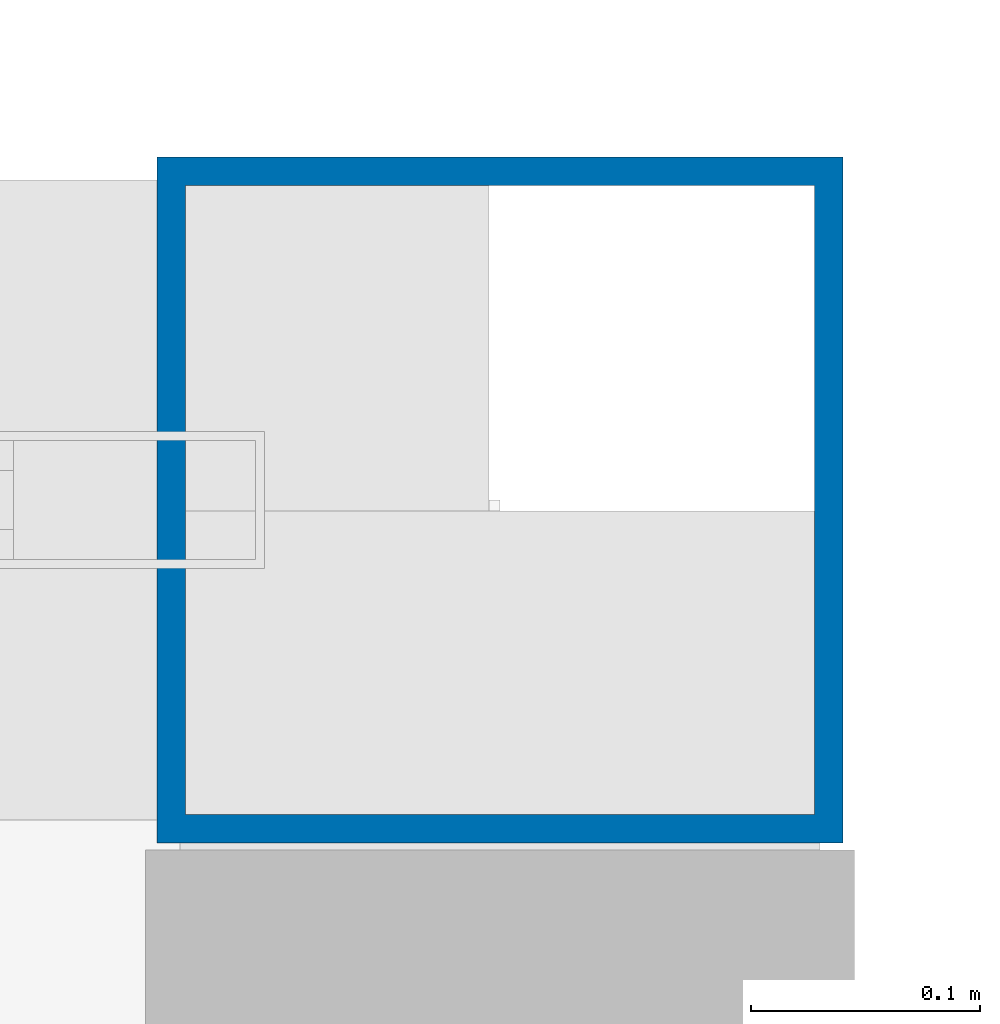
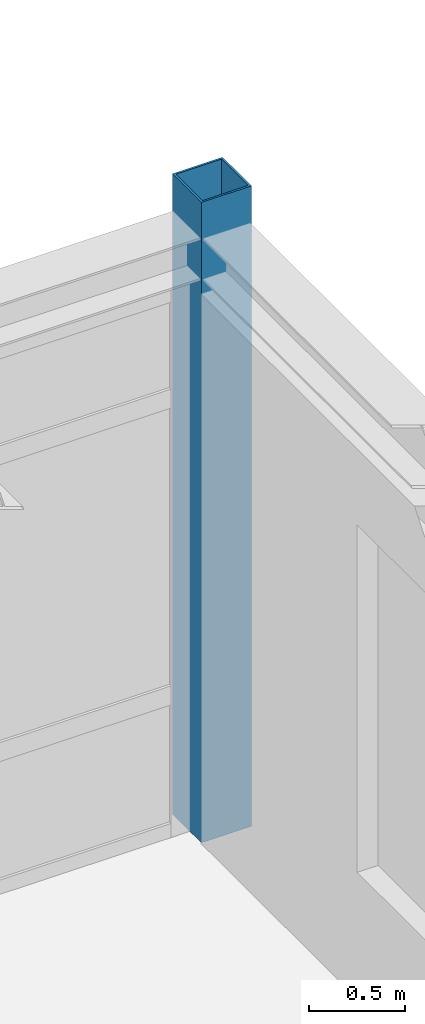
# One storey, part 20 of 165: 1 column.
"""IFC4 building model written with IfcOpenShell, lengths in metres."""

from ifc_helpers import new_model, si_unit, direction, frame, origin, origin_2d, place, context, subcontext, project, spatial, hollow_rectangle, extrude, material, material_profile, profile_set, type_object, element, save


model = new_model("IFC4")

# Units and contexts
model_context = context("Model", 3, precision=1e-05, world=origin(), true_north=direction((0.0, 1.0)))
body_context = subcontext(model_context, "Body", "Model", "MODEL_VIEW")
ifc_project = project(units=[si_unit("LENGTHUNIT", "METRE"), si_unit("AREAUNIT", "SQUARE_METRE"), si_unit("VOLUMEUNIT", "CUBIC_METRE"), si_unit("PLANEANGLEUNIT", "RADIAN"), si_unit("MASSUNIT", "GRAM", prefix="KILO")], contexts=[model_context])

# Site, building, storey
site_placement = place(None, origin())
site = spatial("IfcSite", under=ifc_project, at=site_placement, CompositionType="ELEMENT")
building_placement = place(site_placement, origin())
building = spatial("IfcBuilding", under=site, at=building_placement, Name="Montecoro Central Library", CompositionType="ELEMENT")
storey_placement = place(building_placement, frame((0.0, 0.0, 5.10009765625)))
storey = spatial("IfcBuildingStorey", under=building, at=storey_placement, Name="L01", CompositionType="ELEMENT", Elevation=5.10009765625)

# Column
ifc_material = material(Name="Steel S355", Category="steel")
ifc_material_profile = material_profile(ifc_material, hollow_rectangle(XDim=0.300048828125, YDim=0.300048828125, WallThickness=0.012451171875, at=origin_2d()), Name="SHS 300x300x12.5")
ifc_profile_set = profile_set([ifc_material_profile], Name="Steel S355")
column_type = type_object("IfcColumnType", Name="COL-SHS300", PredefinedType="COLUMN", material=ifc_profile_set)
column_placement = place(storey_placement, frame((173.0, 43.0, 0.0), z_axis=(0.0, 0.0, 1.0), x_axis=(1.0, 0.0, 0.0)))
element("IfcColumn", 1, at=column_placement, inside=storey, type_object=column_type, Name="V6-L01-COL-22-F", PredefinedType="COLUMN", context=body_context, shape_type="SweptSolid", body=[
    extrude(hollow_rectangle(XDim=0.300048828125, YDim=0.300048828125, WallThickness=0.012451171875, at=origin_2d()), origin(), (0.0, 0.0, 1.0), 4.054931640625),
])

save(model, "model.ifc")
